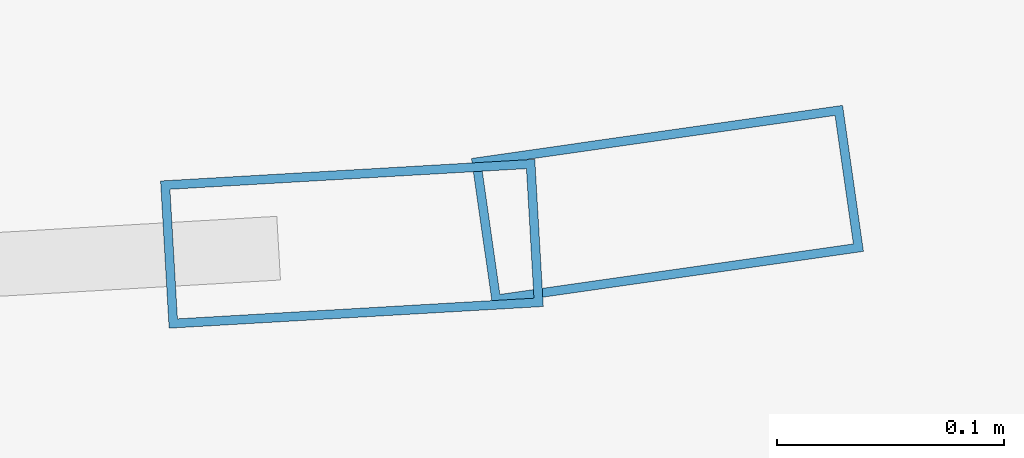
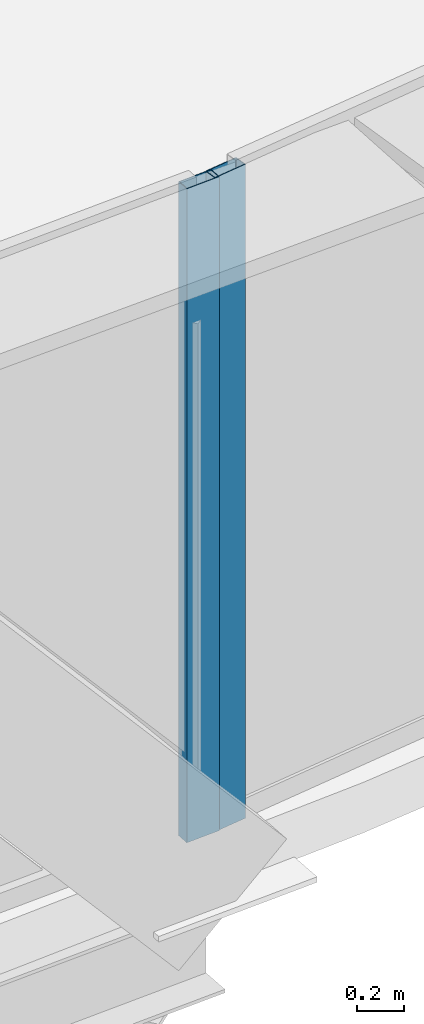
# One storey, part 12 of 42: 2 members, 2 elements without a shape of their own.
"""IFC4 building model written with IfcOpenShell, lengths in metres."""

from ifc_helpers import new_model, si_unit, direction, frame, origin, origin_2d, place, context, subcontext, project, spatial, hollow_rectangle, extrude, source, transform, mapped, material, layer, layer_set, material_profile, profile_set, type_object, element, aggregate, save


model = new_model("IFC4")

# Units and contexts
model_context = context("Model", 3, precision=1e-05, world=origin(), true_north=direction((0.0, 1.0)))
body_context = subcontext(model_context, "Body", "Model", "MODEL_VIEW")
ifc_project = project(units=[si_unit("LENGTHUNIT", "METRE"), si_unit("AREAUNIT", "SQUARE_METRE"), si_unit("VOLUMEUNIT", "CUBIC_METRE"), si_unit("PLANEANGLEUNIT", "RADIAN"), si_unit("MASSUNIT", "GRAM", prefix="KILO"), si_unit("THERMODYNAMICTEMPERATUREUNIT", "KELVIN"), si_unit("POWERUNIT", "WATT")], contexts=[model_context])

# Site, building, storey
site_placement = place(None, origin())
site = spatial("IfcSite", under=ifc_project, at=site_placement, CompositionType="ELEMENT")
building_placement = place(site_placement, origin())
building = spatial("IfcBuilding", under=site, at=building_placement, Name="Yunzhuo Pagoda Commons", CompositionType="ELEMENT")
storey_placement = place(building_placement, frame((0.0, 0.0, 48.550048828125)))
storey = spatial("IfcBuildingStorey", under=building, at=storey_placement, Name="L12", CompositionType="ELEMENT", Elevation=48.550048828125)

# Curtain wall, member
ifc_material = material(Name="Anodized aluminium 6063-T6", Category="aluminium")
ifc_layer = layer(ifc_material, 0.1650390625)
ifc_layer_set = layer_set([ifc_layer], Name="Anodized aluminium 6063-T6")
curtain_wall_type = type_object("IfcCurtainWallType", Name="CW-LOW Low-Zone Ribbon Curtain Wall", PredefinedType="NOTDEFINED", material=ifc_layer_set)
curtain_wall_1_placement = place(storey_placement, origin())
curtain_wall_1 = element("IfcCurtainWall", 1, at=curtain_wall_1_placement, inside=storey, type_object=curtain_wall_type, Name="L12 curtain wall CW-L12-F1B4", PredefinedType="NOTDEFINED")
ifc_material_profile = material_profile(ifc_material, hollow_rectangle(XDim=0.06494140625, YDim=0.1650390625, WallThickness=0.00390625, at=origin_2d()), Name="Anodized aluminium 6063-T6")
ifc_profile_set = profile_set([ifc_material_profile], Name="Anodized aluminium 6063-T6")
member_type = type_object("IfcMemberType", Name="CW-LOW-M Mullion RHS 165x65x4", PredefinedType="MULLION", material=ifc_profile_set)
shared_shape = source(origin(), body_context, "Body", "SweptSolid", [
    extrude(hollow_rectangle(XDim=0.06494140625, YDim=0.1650390625, WallThickness=0.00390625, at=origin_2d()), origin(), (0.0, 0.0, 1.0), 3.369873046875),
])
member_1_placement = place(storey_placement, frame((66.56787109375, 11.531005859375, 0.0), z_axis=(0.0, 0.0, 1.0), x_axis=(-0.057790687505, 0.998328721633, 0.0)))
member_1 = element("IfcMember", 2, at=member_1_placement, type_object=member_type, Name="CW mullion 2", PredefinedType="MULLION", context=body_context, shape_type="MappedRepresentation", body=[
    mapped(shared_shape, transform((0.0, 0.0, 0.0), scale=1.0)),
])
aggregate(curtain_wall_1, [member_1])

curtain_wall_2_placement = place(storey_placement, origin())
curtain_wall_2 = element("IfcCurtainWall", 3, at=curtain_wall_2_placement, inside=storey, type_object=curtain_wall_type, Name="L12 curtain wall CW-L12-F1B5", PredefinedType="NOTDEFINED")
member_2_placement = place(storey_placement, frame((66.706787109375, 11.548095703125, 0.0), z_axis=(0.0, 0.0, 1.0), x_axis=(-0.141492753346, 0.989939291447, 0.0)))
member_2 = element("IfcMember", 4, at=member_2_placement, type_object=member_type, Name="CW mullion 1", PredefinedType="MULLION", context=body_context, shape_type="MappedRepresentation", body=[
    mapped(shared_shape, transform((0.0, 0.0, 0.0), scale=1.0)),
])
aggregate(curtain_wall_2, [member_2])

save(model, "model.ifc")
